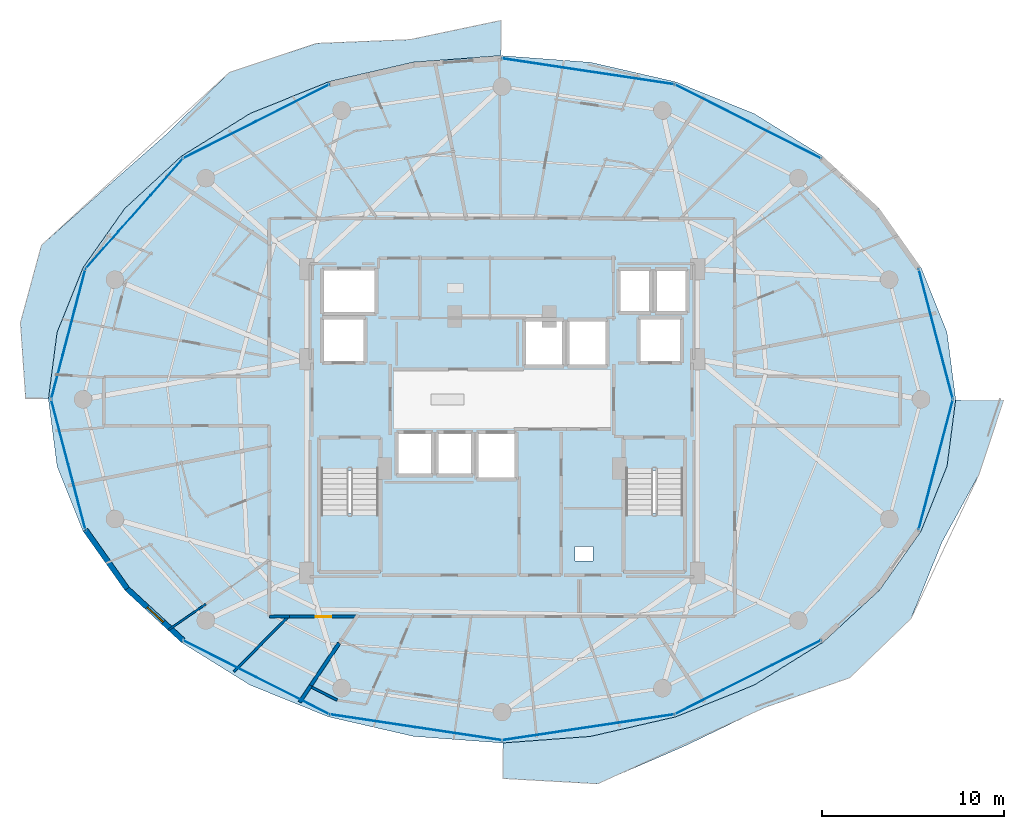
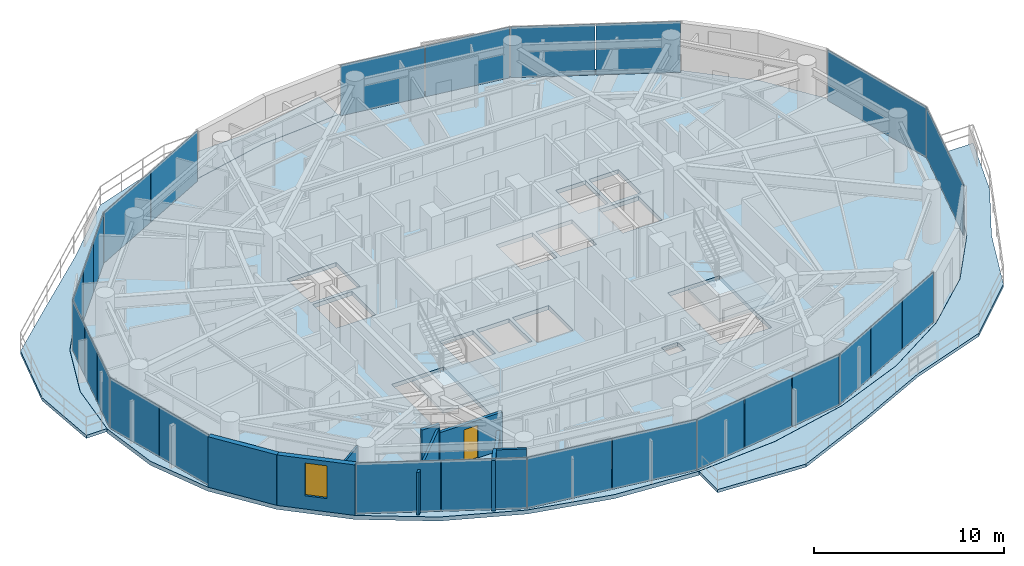
# One storey, part 19 of 29: 26 plates, 9 walls, 5 slabs, 1 door, 1 window, 2 openings, 6 elements without a shape of their own.
"""IFC4 building model written with IfcOpenShell, lengths in metres."""

from ifc_helpers import new_model, si_unit, direction, frame, frame_2d, origin, origin_2d, place, context, subcontext, project, spatial, polyline, rectangle, outline, extrude, material, layer, layer_set, type_object, element, fill, aggregate, save


model = new_model("IFC4")

# Units and contexts
model_context = context("Model", 3, precision=1e-05, world=origin(), true_north=direction((0.0, 1.0)))
body_context = subcontext(model_context, "Body", "Model", "MODEL_VIEW")
ifc_project = project(units=[si_unit("LENGTHUNIT", "METRE"), si_unit("AREAUNIT", "SQUARE_METRE"), si_unit("VOLUMEUNIT", "CUBIC_METRE"), si_unit("PLANEANGLEUNIT", "RADIAN"), si_unit("MASSUNIT", "GRAM", prefix="KILO")], contexts=[model_context])

# Site, building, storey
site_placement = place(None, origin())
site = spatial("IfcSite", under=ifc_project, at=site_placement, CompositionType="ELEMENT")
building_placement = place(site_placement, origin())
building = spatial("IfcBuilding", under=site, at=building_placement, Name="Vorneva Point Tower", CompositionType="ELEMENT")
storey_placement = place(building_placement, frame((0.0, 0.0, 150.10009765625)))
storey = spatial("IfcBuildingStorey", under=building, at=storey_placement, Name="L40", CompositionType="ELEMENT", Elevation=150.10009765625)

# Curtain wall, plates
ifc_material_1 = material(Name="Pale anodised aluminium", Category="aluminium")
curtain_wall_type = type_object("IfcCurtainWallType", Name="CW-RES-SYS", PredefinedType="NOTDEFINED", material=ifc_material_1)
curtain_wall_1_placement = place(storey_placement, origin())
curtain_wall_1 = element("IfcCurtainWall", 1, at=curtain_wall_1_placement, inside=storey, type_object=curtain_wall_type, Name="L40 Unitised Curtain Wall CW-L40-R01", PredefinedType="NOTDEFINED")
ifc_material_2 = material(Name="Double low-e laminated glass IGU", Category="glass")
ifc_layer_1 = layer(ifc_material_2, 0.035888671875)
ifc_layer_set_1 = layer_set([ifc_layer_1], Name="Double low-e laminated glass IGU")
plate_type = type_object("IfcPlateType", Name="CW-PNL-VIS", PredefinedType="CURTAIN_PANEL", material=ifc_layer_set_1)
plate_1_placement = place(storey_placement, frame((61.856201171875, 22.412353515625, -0.02001953125), z_axis=(0.0, 0.0, 1.0), x_axis=(0.254433162972, 0.967090360608, 0.0)))
plate_1 = element("IfcPlate", 2, at=plate_1_placement, type_object=plate_type, Name="CW-L40-R01 Glazed Panel 01", PredefinedType="CURTAIN_PANEL", context=body_context, shape_type="SweptSolid", body=[
    extrude(rectangle(XDim=7.369384765625, YDim=0.035888671875, at=origin_2d()), origin(), (0.0, 0.0, 1.0), 3.280029296875),
])
plate_2_placement = place(storey_placement, frame((61.856201171875, 29.587646484375, -0.02001953125), z_axis=(0.0, 0.0, 1.0), x_axis=(-0.254433162972, 0.967090360608, 0.0)))
plate_2 = element("IfcPlate", 3, at=plate_2_placement, type_object=plate_type, Name="CW-L40-R01 Glazed Panel 02", PredefinedType="CURTAIN_PANEL", context=body_context, shape_type="SweptSolid", body=[
    extrude(rectangle(XDim=7.369384765625, YDim=0.035888671875, at=origin_2d()), origin(), (0.0, 0.0, 1.0), 3.280029296875),
])
aggregate(curtain_wall_1, [plate_1, plate_2])

curtain_wall_2_placement = place(storey_placement, origin())
curtain_wall_2 = element("IfcCurtainWall", 4, at=curtain_wall_2_placement, inside=storey, type_object=curtain_wall_type, Name="L40 Unitised Curtain Wall CW-L40-R02", PredefinedType="NOTDEFINED")
plate_3_placement = place(storey_placement, frame((53.52490234375, 40.2744140625, -0.02001953125), z_axis=(0.0, 0.0, 1.0), x_axis=(-0.892577949019, 0.450893119182, 0.0)))
plate_3 = element("IfcPlate", 5, at=plate_3_placement, type_object=plate_type, Name="CW-L40-R02 Glazed Panel 01A", PredefinedType="CURTAIN_PANEL", context=body_context, shape_type="SweptSolid", body=[
    extrude(rectangle(XDim=4.45703125, YDim=0.035888671875, at=origin_2d()), origin(), (0.0, 0.0, 1.0), 3.280029296875),
])
plate_4_placement = place(storey_placement, frame((49.501953125, 42.306640625, -0.02001953125), z_axis=(0.0, 0.0, 1.0), x_axis=(-0.892577949019, 0.450893119182, 0.0)))
plate_4 = element("IfcPlate", 6, at=plate_4_placement, type_object=plate_type, Name="CW-L40-R02 Glazed Panel 01B", PredefinedType="CURTAIN_PANEL", context=body_context, shape_type="SweptSolid", body=[
    extrude(rectangle(XDim=4.45703125, YDim=0.035888671875, at=origin_2d()), origin(), (0.0, 0.0, 1.0), 3.280029296875),
])
plate_5_placement = place(storey_placement, frame((45.117919921875, 43.679443359375, -0.02001953125), z_axis=(0.0, 0.0, 1.0), x_axis=(-0.988878712919, 0.148724211669, 0.0)))
plate_5 = element("IfcPlate", 7, at=plate_5_placement, type_object=plate_type, Name="CW-L40-R02 Glazed Panel 02A", PredefinedType="CURTAIN_PANEL", context=body_context, shape_type="SweptSolid", body=[
    extrude(rectangle(XDim=4.74853515625, YDim=0.035888671875, at=origin_2d()), origin(), (0.0, 0.0, 1.0), 3.280029296875),
])
plate_6_placement = place(storey_placement, frame((40.37255859375, 44.393310546875, -0.02001953125), z_axis=(0.0, 0.0, 1.0), x_axis=(-0.988878712919, 0.148724211669, 0.0)))
plate_6 = element("IfcPlate", 8, at=plate_6_placement, type_object=plate_type, Name="CW-L40-R02 Glazed Panel 02B", PredefinedType="CURTAIN_PANEL", context=body_context, shape_type="SweptSolid", body=[
    extrude(rectangle(XDim=4.74853515625, YDim=0.035888671875, at=origin_2d()), origin(), (0.0, 0.0, 1.0), 3.280029296875),
])
aggregate(curtain_wall_2, [plate_3, plate_4, plate_5, plate_6])

curtain_wall_3_placement = place(storey_placement, origin())
curtain_wall_3 = element("IfcCurtainWall", 9, at=curtain_wall_3_placement, inside=storey, type_object=curtain_wall_type, Name="L40 Unitised Curtain Wall CW-L40-R03", PredefinedType="NOTDEFINED")
plate_7_placement = place(storey_placement, frame((26.498046875, 42.306640625, -0.02001953125), z_axis=(0.0, 0.0, 1.0), x_axis=(-0.892577949019, -0.450893119182, 0.0)))
plate_7 = element("IfcPlate", 10, at=plate_7_placement, type_object=plate_type, Name="CW-L40-R03 Glazed Panel 01A", PredefinedType="CURTAIN_PANEL", context=body_context, shape_type="SweptSolid", body=[
    extrude(rectangle(XDim=4.45703125, YDim=0.035888671875, at=origin_2d()), origin(), (0.0, 0.0, 1.0), 3.280029296875),
])
plate_8_placement = place(storey_placement, frame((22.47509765625, 40.2744140625, -0.02001953125), z_axis=(0.0, 0.0, 1.0), x_axis=(-0.892577949019, -0.450893119182, 0.0)))
plate_8 = element("IfcPlate", 11, at=plate_8_placement, type_object=plate_type, Name="CW-L40-R03 Glazed Panel 01B", PredefinedType="CURTAIN_PANEL", context=body_context, shape_type="SweptSolid", body=[
    extrude(rectangle(XDim=4.45703125, YDim=0.035888671875, at=origin_2d()), origin(), (0.0, 0.0, 1.0), 3.280029296875),
])
plate_9_placement = place(storey_placement, frame((19.56787109375, 38.244384765625, -0.02001953125), z_axis=(0.0, 0.0, 1.0), x_axis=(-0.662214727207, -0.749314123095, 0.0)))
plate_9 = element("IfcPlate", 12, at=plate_9_placement, type_object=plate_type, Name="CW-L40-R03 Glazed Panel 02A", PredefinedType="CURTAIN_PANEL", context=body_context, shape_type="SweptSolid", body=[
    extrude(rectangle(XDim=2.656005859375, YDim=0.035888671875, at=origin_2d()), origin(), (0.0, 0.0, 1.0), 3.280029296875),
])
plate_10_placement = place(storey_placement, frame((17.77587890625, 36.216796875, -0.02001953125), z_axis=(0.0, 0.0, 1.0), x_axis=(-0.662214727207, -0.749314123095, 0.0)))
plate_10 = element("IfcPlate", 13, at=plate_10_placement, type_object=plate_type, Name="CW-L40-R03 Glazed Panel 02B", PredefinedType="CURTAIN_PANEL", context=body_context, shape_type="SweptSolid", body=[
    extrude(rectangle(XDim=2.656005859375, YDim=0.035888671875, at=origin_2d()), origin(), (0.0, 0.0, 1.0), 3.280029296875),
])
plate_11_placement = place(storey_placement, frame((15.98388671875, 34.189208984375, -0.02001953125), z_axis=(0.0, 0.0, 1.0), x_axis=(-0.662214727207, -0.749314123095, 0.0)))
plate_11 = element("IfcPlate", 14, at=plate_11_placement, type_object=plate_type, Name="CW-L40-R03 Glazed Panel 02C", PredefinedType="CURTAIN_PANEL", context=body_context, shape_type="SweptSolid", body=[
    extrude(rectangle(XDim=2.656005859375, YDim=0.035888671875, at=origin_2d()), origin(), (0.0, 0.0, 1.0), 3.280029296875),
])
plate_12_placement = place(storey_placement, frame((14.773193359375, 31.9794921875, -0.02001953125), z_axis=(0.0, 0.0, 1.0), x_axis=(-0.254433162972, -0.967090360608, 0.0)))
plate_12 = element("IfcPlate", 15, at=plate_12_placement, type_object=plate_type, Name="CW-L40-R03 Glazed Panel 03A", PredefinedType="CURTAIN_PANEL", context=body_context, shape_type="SweptSolid", body=[
    extrude(rectangle(XDim=2.423095703125, YDim=0.035888671875, at=origin_2d()), origin(), (0.0, 0.0, 1.0), 3.280029296875),
])
plate_13_placement = place(storey_placement, frame((14.143798828125, 29.587646484375, -0.02001953125), z_axis=(0.0, 0.0, 1.0), x_axis=(-0.254433162972, -0.967090360608, 0.0)))
plate_13 = element("IfcPlate", 16, at=plate_13_placement, type_object=plate_type, Name="CW-L40-R03 Glazed Panel 03B", PredefinedType="CURTAIN_PANEL", context=body_context, shape_type="SweptSolid", body=[
    extrude(rectangle(XDim=2.423095703125, YDim=0.035888671875, at=origin_2d()), origin(), (0.0, 0.0, 1.0), 3.280029296875),
])
plate_14_placement = place(storey_placement, frame((13.5146484375, 27.19580078125, -0.02001953125), z_axis=(0.0, 0.0, 1.0), x_axis=(-0.254433162972, -0.967090360608, 0.0)))
plate_14 = element("IfcPlate", 17, at=plate_14_placement, type_object=plate_type, Name="CW-L40-R03 Glazed Panel 03C", PredefinedType="CURTAIN_PANEL", context=body_context, shape_type="SweptSolid", body=[
    extrude(rectangle(XDim=2.423095703125, YDim=0.035888671875, at=origin_2d()), origin(), (0.0, 0.0, 1.0), 3.280029296875),
])
plate_15_placement = place(storey_placement, frame((13.671875, 24.206298828125, -0.02001953125), z_axis=(0.0, 0.0, 1.0), x_axis=(0.254433162972, -0.967090360608, 0.0)))
plate_15 = element("IfcPlate", 18, at=plate_15_placement, type_object=plate_type, Name="CW-L40-R03 Glazed Panel 04A", PredefinedType="CURTAIN_PANEL", context=body_context, shape_type="SweptSolid", body=[
    extrude(rectangle(XDim=3.65966796875, YDim=0.035888671875, at=origin_2d()), origin(), (0.0, 0.0, 1.0), 3.280029296875),
])
plate_16_placement = place(storey_placement, frame((14.615966796875, 20.618408203125, -0.02001953125), z_axis=(0.0, 0.0, 1.0), x_axis=(0.254433162972, -0.967090360608, 0.0)))
plate_16 = element("IfcPlate", 19, at=plate_16_placement, type_object=plate_type, Name="CW-L40-R03 Glazed Panel 04B", PredefinedType="CURTAIN_PANEL", context=body_context, shape_type="SweptSolid", body=[
    extrude(rectangle(XDim=3.65966796875, YDim=0.035888671875, at=origin_2d()), origin(), (0.0, 0.0, 1.0), 3.280029296875),
])
aggregate(curtain_wall_3, [plate_7, plate_8, plate_9, plate_10, plate_11, plate_12, plate_13, plate_14, plate_15, plate_16])

curtain_wall_4_placement = place(storey_placement, origin())
curtain_wall_4 = element("IfcCurtainWall", 20, at=curtain_wall_4_placement, inside=storey, type_object=curtain_wall_type, Name="L40 Unitised Curtain Wall CW-L40-R04", PredefinedType="NOTDEFINED")
plate_17_placement = place(storey_placement, frame((22.47509765625, 11.7255859375, -0.02001953125), z_axis=(0.0, 0.0, 1.0), x_axis=(0.892577949019, -0.450893119182, 0.0)))
plate_17 = element("IfcPlate", 21, at=plate_17_placement, type_object=plate_type, Name="CW-L40-R04 Glazed Panel 01A", PredefinedType="CURTAIN_PANEL", context=body_context, shape_type="SweptSolid", body=[
    extrude(rectangle(XDim=4.45703125, YDim=0.035888671875, at=origin_2d()), origin(), (0.0, 0.0, 1.0), 3.280029296875),
])
plate_18_placement = place(storey_placement, frame((26.498046875, 9.693359375, -0.02001953125), z_axis=(0.0, 0.0, 1.0), x_axis=(0.892577949019, -0.450893119182, 0.0)))
plate_18 = element("IfcPlate", 22, at=plate_18_placement, type_object=plate_type, Name="CW-L40-R04 Glazed Panel 01B", PredefinedType="CURTAIN_PANEL", context=body_context, shape_type="SweptSolid", body=[
    extrude(rectangle(XDim=4.45703125, YDim=0.035888671875, at=origin_2d()), origin(), (0.0, 0.0, 1.0), 3.280029296875),
])
plate_19_placement = place(storey_placement, frame((30.882080078125, 8.320556640625, -0.02001953125), z_axis=(0.0, 0.0, 1.0), x_axis=(0.988878712919, -0.148724211669, 0.0)))
plate_19 = element("IfcPlate", 23, at=plate_19_placement, type_object=plate_type, Name="CW-L40-R04 Glazed Panel 02A", PredefinedType="CURTAIN_PANEL", context=body_context, shape_type="SweptSolid", body=[
    extrude(rectangle(XDim=4.74853515625, YDim=0.035888671875, at=origin_2d()), origin(), (0.0, 0.0, 1.0), 3.280029296875),
])
plate_20_placement = place(storey_placement, frame((35.62744140625, 7.606689453125, -0.02001953125), z_axis=(0.0, 0.0, 1.0), x_axis=(0.988878712919, -0.148724211669, 0.0)))
plate_20 = element("IfcPlate", 24, at=plate_20_placement, type_object=plate_type, Name="CW-L40-R04 Glazed Panel 02B", PredefinedType="CURTAIN_PANEL", context=body_context, shape_type="SweptSolid", body=[
    extrude(rectangle(XDim=4.74853515625, YDim=0.035888671875, at=origin_2d()), origin(), (0.0, 0.0, 1.0), 3.280029296875),
])
plate_21_placement = place(storey_placement, frame((39.581787109375, 7.48779296875, -0.02001953125), z_axis=(0.0, 0.0, 1.0), x_axis=(0.988878712919, 0.148724211669, 0.0)))
plate_21 = element("IfcPlate", 25, at=plate_21_placement, type_object=plate_type, Name="CW-L40-R04 Glazed Panel 03A", PredefinedType="CURTAIN_PANEL", context=body_context, shape_type="SweptSolid", body=[
    extrude(rectangle(XDim=3.149169921875, YDim=0.035888671875, at=origin_2d()), origin(), (0.0, 0.0, 1.0), 3.280029296875),
])
plate_22_placement = place(storey_placement, frame((42.7451171875, 7.963623046875, -0.02001953125), z_axis=(0.0, 0.0, 1.0), x_axis=(0.988878712919, 0.148724211669, 0.0)))
plate_22 = element("IfcPlate", 26, at=plate_22_placement, type_object=plate_type, Name="CW-L40-R04 Glazed Panel 03B", PredefinedType="CURTAIN_PANEL", context=body_context, shape_type="SweptSolid", body=[
    extrude(rectangle(XDim=3.149169921875, YDim=0.035888671875, at=origin_2d()), origin(), (0.0, 0.0, 1.0), 3.280029296875),
])
plate_23_placement = place(storey_placement, frame((45.90869140625, 8.439453125, -0.02001953125), z_axis=(0.0, 0.0, 1.0), x_axis=(0.988878712919, 0.148724211669, 0.0)))
plate_23 = element("IfcPlate", 27, at=plate_23_placement, type_object=plate_type, Name="CW-L40-R04 Glazed Panel 03C", PredefinedType="CURTAIN_PANEL", context=body_context, shape_type="SweptSolid", body=[
    extrude(rectangle(XDim=3.149169921875, YDim=0.035888671875, at=origin_2d()), origin(), (0.0, 0.0, 1.0), 3.280029296875),
])
plate_24_placement = place(storey_placement, frame((48.831298828125, 9.354736328125, -0.02001953125), z_axis=(0.0, 0.0, 1.0), x_axis=(0.892577949019, 0.450893119182, 0.0)))
plate_24 = element("IfcPlate", 28, at=plate_24_placement, type_object=plate_type, Name="CW-L40-R04 Glazed Panel 04A", PredefinedType="CURTAIN_PANEL", context=body_context, shape_type="SweptSolid", body=[
    extrude(rectangle(XDim=2.95458984375, YDim=0.035888671875, at=origin_2d()), origin(), (0.0, 0.0, 1.0), 3.280029296875),
])
plate_25_placement = place(storey_placement, frame((51.513427734375, 10.70947265625, -0.02001953125), z_axis=(0.0, 0.0, 1.0), x_axis=(0.892577949019, 0.450893119182, 0.0)))
plate_25 = element("IfcPlate", 29, at=plate_25_placement, type_object=plate_type, Name="CW-L40-R04 Glazed Panel 04B", PredefinedType="CURTAIN_PANEL", context=body_context, shape_type="SweptSolid", body=[
    extrude(rectangle(XDim=2.95458984375, YDim=0.035888671875, at=origin_2d()), origin(), (0.0, 0.0, 1.0), 3.280029296875),
])
plate_26_placement = place(storey_placement, frame((54.1953125, 12.064208984375, -0.02001953125), z_axis=(0.0, 0.0, 1.0), x_axis=(0.892577949019, 0.450893119182, 0.0)))
plate_26 = element("IfcPlate", 30, at=plate_26_placement, type_object=plate_type, Name="CW-L40-R04 Glazed Panel 04C", PredefinedType="CURTAIN_PANEL", context=body_context, shape_type="SweptSolid", body=[
    extrude(rectangle(XDim=2.95458984375, YDim=0.035888671875, at=origin_2d()), origin(), (0.0, 0.0, 1.0), 3.280029296875),
])
aggregate(curtain_wall_4, [plate_17, plate_18, plate_19, plate_20, plate_21, plate_22, plate_23, plate_24, plate_25, plate_26])

# Slabs
ifc_material_3 = material(Name="Concrete B50 (C40/50)", Category="concrete")
ifc_layer_2 = layer(ifc_material_3, 0.199951171875)
ifc_layer_set_2 = layer_set([ifc_layer_2], Name="Concrete B50 (C40/50)")
slab_type_1 = type_object("IfcSlabType", Name="SLB-BAL-200", PredefinedType="FLOOR", material=ifc_layer_set_2)
slab_1_placement = place(storey_placement, frame((0.0, 0.0, -0.2001953125)))
element("IfcSlab", 31, at=slab_1_placement, inside=storey, type_object=slab_type_1, Name="L40 Cantilevered Wave Balcony NW", PredefinedType="FLOOR", context=body_context, shape_type="SweptSolid", body=[
    extrude(outline(polyline([(11.796630859375, 26.050048828125), (13.052490234375, 26.050048828125), (13.525390625, 29.687744140625), (13.525390625, 29.68798828125), (13.525634765625, 29.6884765625), (13.525634765625, 29.688720703125), (14.945556640625, 33.234130859375), (14.94580078125, 33.234619140625), (14.94580078125, 33.235107421875), (17.25146484375, 36.502685546875), (17.251708984375, 36.5029296875), (17.252197265625, 36.503173828125), (20.35498046875, 39.3671875), (20.355224609375, 39.367431640625), (20.355712890625, 39.36767578125), (24.136474609375, 41.71826171875), (24.13671875, 41.718505859375), (24.136962890625, 41.718505859375), (28.450439453125, 43.465087890625), (28.45068359375, 43.465087890625), (28.451171875, 43.465087890625), (33.131591796875, 44.540771484375), (33.1318359375, 44.540771484375), (33.132080078125, 44.540771484375), (37.949951171875, 44.900390625), (37.949951171875, 46.839599609375), (32.944091796875, 45.7861328125), (27.7880859375, 45.577392578125), (22.9951171875, 43.973876953125), (19.47900390625, 40.524169921875), (16.083984375, 37.532958984375), (12.6708984375, 34.478515625), (11.51123046875, 30.217041015625), (11.796630859375, 26.050048828125)])), origin(), (0.0, 0.0, 1.0), 0.2001953125),
])
slab_2_placement = place(storey_placement, frame((0.0, 0.0, -0.2001953125)))
element("IfcSlab", 32, at=slab_2_placement, inside=storey, type_object=slab_type_1, Name="L40 Cantilevered Wave Balcony SE", PredefinedType="FLOOR", context=body_context, shape_type="SweptSolid", body=[
    extrude(outline(polyline([(64.224609375, 21.852294921875), (65.58349609375, 25.949951171875), (62.947509765625, 25.949951171875), (62.474609375, 22.312255859375), (62.474609375, 22.31201171875), (62.474365234375, 22.3115234375), (62.474365234375, 22.311279296875), (61.054443359375, 18.765869140625), (61.05419921875, 18.765380859375), (61.05419921875, 18.764892578125), (58.74853515625, 15.497314453125), (58.748291015625, 15.4970703125), (58.747802734375, 15.496826171875), (55.64501953125, 12.6328125), (55.644775390625, 12.632568359375), (55.644287109375, 12.63232421875), (51.863525390625, 10.28173828125), (51.86328125, 10.281494140625), (51.863037109375, 10.281494140625), (47.549560546875, 8.534912109375), (47.54931640625, 8.534912109375), (47.548828125, 8.534912109375), (42.868408203125, 7.459228515625), (42.8681640625, 7.459228515625), (42.867919921875, 7.459228515625), (38.050048828125, 7.099609375), (38.050048828125, 5.147216796875), (43.26025390625, 4.85595703125), (48.051513671875, 6.93359375), (52.479248046875, 9.064697265625), (57.11865234375, 10.686767578125), (60.499267578125, 13.952392578125), (62.1943359375, 18.14208984375), (64.224609375, 21.852294921875)])), origin(), (0.0, 0.0, 1.0), 0.2001953125),
])

# Stair, slab
stair_type = type_object("IfcStairType", Name="ST-DOG-1500", PredefinedType="HALF_TURN_STAIR", material=ifc_material_3)
stair_1_placement = place(storey_placement, origin())
stair_1 = element("IfcStair", 33, at=stair_1_placement, inside=storey, type_object=stair_type, Name="L40 ST1", PredefinedType="HALF_TURN_STAIR")
ifc_layer_3 = layer(ifc_material_3, 0.199951171875)
ifc_layer_set_3 = layer_set([ifc_layer_3], Name="Concrete B50 (C40/50)")
slab_type_2 = type_object("IfcSlabType", Name="SLB-LND-200", PredefinedType="LANDING", material=ifc_layer_set_3)
slab_3_placement = place(storey_placement, frame((0.0, 0.0, 1.5498046875)))
slab_3 = element("IfcSlab", 34, at=slab_3_placement, type_object=slab_type_2, Name="ST1 landing 1", PredefinedType="LANDING", context=body_context, shape_type="SweptSolid", body=[
    extrude(outline(polyline([(27.929931640625, 16.47998046875), (31.320068359375, 16.47998046875), (31.320068359375, 19.72998046875), (27.929931640625, 19.72998046875), (27.929931640625, 16.47998046875)])), origin(), (0.0, 0.0, 1.0), 0.2001953125),
])
aggregate(stair_1, [slab_3])

stair_2_placement = place(storey_placement, origin())
stair_2 = element("IfcStair", 35, at=stair_2_placement, inside=storey, type_object=stair_type, Name="L40 ST2", PredefinedType="HALF_TURN_STAIR")
slab_4_placement = place(storey_placement, frame((0.0, 0.0, 1.5498046875)))
slab_4 = element("IfcSlab", 36, at=slab_4_placement, type_object=slab_type_2, Name="ST2 landing 1", PredefinedType="LANDING", context=body_context, shape_type="SweptSolid", body=[
    extrude(outline(polyline([(44.679931640625, 16.47998046875), (48.070068359375, 16.47998046875), (48.070068359375, 19.72998046875), (44.679931640625, 19.72998046875), (44.679931640625, 16.47998046875)])), origin(), (0.0, 0.0, 1.0), 0.2001953125),
])
aggregate(stair_2, [slab_4])

# Slab
ifc_layer_4 = layer(ifc_material_3, 0.260009765625)
ifc_layer_set_4 = layer_set([ifc_layer_4], Name="Concrete B50 (C40/50)")
slab_type_3 = type_object("IfcSlabType", Name="SLB-TYP-260", PredefinedType="FLOOR", material=ifc_layer_set_4)
slab_5_placement = place(storey_placement, frame((0.0, 0.0, -0.260009765625)))
element("IfcSlab", 37, at=slab_5_placement, inside=storey, type_object=slab_type_3, Name="L40 Structural Floor Plate", PredefinedType="FLOOR", context=body_context, shape_type="SweptSolid", body=[
    extrude(outline(polyline([(62.949951171875, 26.0), (62.470703125, 29.687255859375), (61.05078125, 33.232666015625), (58.7451171875, 36.500244140625), (55.642333984375, 39.3642578125), (51.861572265625, 41.71484375), (47.548095703125, 43.461181640625), (42.867431640625, 44.536865234375), (38.0, 44.89990234375), (33.132568359375, 44.536865234375), (28.451904296875, 43.461181640625), (24.138427734375, 41.71484375), (20.357666015625, 39.3642578125), (17.2548828125, 36.500244140625), (14.94921875, 33.232666015625), (13.529296875, 29.687255859375), (13.050048828125, 26.0), (13.529296875, 22.312744140625), (14.94921875, 18.767333984375), (17.2548828125, 15.499755859375), (20.357666015625, 12.6357421875), (24.138427734375, 10.28515625), (28.451904296875, 8.538818359375), (33.132568359375, 7.463134765625), (38.0, 7.10009765625), (42.867431640625, 7.463134765625), (47.548095703125, 8.538818359375), (51.861572265625, 10.28515625), (55.642333984375, 12.6357421875), (58.7451171875, 15.499755859375), (61.05078125, 18.767333984375), (62.470703125, 22.312744140625), (62.949951171875, 26.0)]), holes=[polyline([(32.199951171875, 21.800048828125), (34.199951171875, 21.800048828125), (34.199951171875, 24.199951171875), (32.199951171875, 24.199951171875), (32.199951171875, 21.800048828125)]), polyline([(34.39990234375, 21.800048828125), (36.39990234375, 21.800048828125), (36.39990234375, 24.199951171875), (34.39990234375, 24.199951171875), (34.39990234375, 21.800048828125)]), polyline([(36.60009765625, 21.60009765625), (38.800048828125, 21.60009765625), (38.800048828125, 24.199951171875), (36.60009765625, 24.199951171875), (36.60009765625, 21.60009765625)]), polyline([(39.199951171875, 27.800048828125), (41.39990234375, 27.800048828125), (41.39990234375, 30.39990234375), (39.199951171875, 30.39990234375), (39.199951171875, 27.800048828125)]), polyline([(41.60009765625, 27.800048828125), (43.800048828125, 27.800048828125), (43.800048828125, 30.39990234375), (41.60009765625, 30.39990234375), (41.60009765625, 27.800048828125)]), polyline([(44.39990234375, 30.739990234375), (46.199951171875, 30.739990234375), (46.199951171875, 33.159912109375), (44.39990234375, 33.159912109375), (44.39990234375, 30.739990234375)]), polyline([(46.39990234375, 30.739990234375), (48.199951171875, 30.739990234375), (48.199951171875, 33.159912109375), (46.39990234375, 33.159912109375), (46.39990234375, 30.739990234375)]), polyline([(28.10009765625, 28.0), (30.5, 28.0), (30.5, 30.5), (28.10009765625, 30.5), (28.10009765625, 28.0)]), polyline([(45.5, 28.0), (47.89990234375, 28.0), (47.89990234375, 30.5), (45.5, 30.5), (45.5, 28.0)]), polyline([(28.10009765625, 30.699951171875), (31.10009765625, 30.699951171875), (31.10009765625, 33.199951171875), (28.10009765625, 33.199951171875), (28.10009765625, 30.699951171875)]), polyline([(28.050048828125, 16.60009765625), (31.199951171875, 16.60009765625), (31.199951171875, 22.080078125), (28.050048828125, 22.080078125), (28.050048828125, 16.60009765625)]), polyline([(44.800048828125, 16.60009765625), (47.949951171875, 16.60009765625), (47.949951171875, 22.080078125), (44.800048828125, 22.080078125), (44.800048828125, 16.60009765625)]), polyline([(42.0, 17.10009765625), (43.0, 17.10009765625), (43.0, 17.89990234375), (42.0, 17.89990234375), (42.0, 17.10009765625)])]), origin(), (0.0, 0.0, 1.0), 0.260009765625),
])

# Wall
ifc_material_4 = material(Name="Precast concrete B50 (C40/50)", Category="concrete")
ifc_layer_5 = layer(ifc_material_4, 0.300048828125)
ifc_layer_set_5 = layer_set([ifc_layer_5], Name="Precast concrete B50 (C40/50)")
wall_type_1 = type_object("IfcWallType", Name="WL-EXT-300", PredefinedType="STANDARD", material=ifc_layer_set_5)
wall_1_placement = place(storey_placement, frame((15.087890625, 18.82470703125, 0.0), z_axis=(0.0, 0.0, 1.0), x_axis=(0.577269753207, -0.816553508371, 0.0)))
element("IfcWall", 38, at=wall_1_placement, inside=storey, type_object=wall_type_1, Name="L40 Pale-Metal Facade Spandrel Wall 10.1", PredefinedType="STANDARD", context=body_context, shape_type="SweptSolid", body=[
    extrude(rectangle(XDim=3.969970703125, YDim=0.300048828125, at=frame_2d((1.98486328125, 0.0))), origin(), (0.0, 0.0, 1.0), 3.239990234375),
])

# Wall, opening, window
wall_2_placement = place(storey_placement, frame((17.379638671875, 15.5830078125, 0.0), z_axis=(0.0, 0.0, 1.0), x_axis=(0.735477154165, -0.677549522693, 0.0)))
wall_2 = element("IfcWall", 39, at=wall_2_placement, inside=storey, type_object=wall_type_1, Name="L40 Pale-Metal Facade Spandrel Wall 10.2", PredefinedType="STANDARD", context=body_context, shape_type="SweptSolid", body=[
    extrude(rectangle(XDim=4.193603515625, YDim=0.300048828125, at=frame_2d((2.0966796875, 0.0))), origin(), (0.0, 0.0, 1.0), 3.239990234375),
])
opening_1_placement = place(wall_2_placement, frame((1.496826171875, 0.0, 0.85009765625)))
opening_1 = element("IfcOpeningElement", 40, at=opening_1_placement, cuts=wall_2, Name="Opening W-04", PredefinedType="OPENING", context=body_context, shape_type="SweptSolid", body=[
    extrude(rectangle(XDim=1.199951171875, YDim=2.10009765625, at=frame_2d((0.60009765625, 1.050048828125))), frame((0.0, 0.1650390625, 0.0), z_axis=(0.0, -1.0, 0.0), x_axis=(1.0, 0.0, 0.0)), (0.0, 0.0, 1.0), 0.329833984375),
])
window_type = type_object("IfcWindowType", Name="WN-RES-1200", PartitioningType="SINGLE_PANEL", PredefinedType="WINDOW", material=ifc_material_2)
window_placement = place(opening_1_placement, origin())
window = element("IfcWindow", 41, at=window_placement, inside=storey, type_object=window_type, Name="L40 Facade Window 10", OverallHeight=2.10009765625, OverallWidth=1.199951171875, PartitioningType="SINGLE_PANEL", PredefinedType="WINDOW", context=body_context, shape_type="SweptSolid", body=[
    extrude(rectangle(XDim=1.199951171875, YDim=2.10009765625, at=frame_2d((0.60009765625, 1.050048828125))), frame((0.0, 0.030029296875, 0.0), z_axis=(0.0, -1.0, 0.0), x_axis=(1.0, 0.0, 0.0)), (0.0, 0.0, 1.0), 0.06005859375),
])
fill(opening_1, window)

# Walls
ifc_material_5 = material(Name="Fire-rated acoustic gypsum stud partition", Category="gypsum")
ifc_layer_6 = layer(ifc_material_5, 0.110107421875)
ifc_layer_set_6 = layer_set([ifc_layer_6], Name="Fire-rated acoustic gypsum stud partition")
wall_type_2 = type_object("IfcWallType", Name="WL-PART-110", PredefinedType="PARTITIONING", material=ifc_layer_set_6)
wall_3_placement = place(storey_placement, frame((21.710205078125, 14.74169921875, 0.0), z_axis=(0.0, 0.0, 1.0), x_axis=(-0.822632807799, -0.568573006335, 0.0)))
element("IfcWall", 42, at=wall_3_placement, inside=storey, type_object=wall_type_2, Name="L40 Interior Partition 115", PredefinedType="PARTITIONING", context=body_context, shape_type="SweptSolid", body=[
    extrude(rectangle(XDim=2.511962890625, YDim=0.110107421875, at=frame_2d((1.255859375, 0.0))), origin(), (0.0, 0.0, 1.0), 2.727783203125),
])
ifc_layer_7 = layer(ifc_material_5, 0.139892578125)
ifc_layer_set_7 = layer_set([ifc_layer_7], Name="Fire-rated acoustic gypsum stud partition")
wall_type_3 = type_object("IfcWallType", Name="WL-PART-140", PredefinedType="PARTITIONING", material=ifc_layer_set_7)
wall_4_placement = place(storey_placement, frame((23.2490234375, 11.014892578125, 0.0), z_axis=(0.0, 0.0, 1.0), x_axis=(0.701437189486, 0.712731274188, 0.0)))
element("IfcWall", 43, at=wall_4_placement, inside=storey, type_object=wall_type_3, Name="L40 Interior Partition 117", PredefinedType="PARTITIONING", context=body_context, shape_type="SweptSolid", body=[
    extrude(rectangle(XDim=4.258544921875, YDim=0.139892578125, at=frame_2d((2.12939453125, 0.0))), origin(), (0.0, 0.0, 1.0), 2.727783203125),
])
wall_5_placement = place(storey_placement, frame((28.93798828125, 9.455078125, 0.0), z_axis=(0.0, 0.0, 1.0), x_axis=(-0.892517956507, 0.451011859392, 0.0)))
element("IfcWall", 44, at=wall_5_placement, inside=storey, type_object=wall_type_3, Name="L40 Interior Partition 127", PredefinedType="PARTITIONING", context=body_context, shape_type="SweptSolid", body=[
    extrude(rectangle(XDim=1.66943359375, YDim=0.139892578125, at=frame_2d((0.834716796875, 0.0))), origin(), (0.0, 0.0, 1.0), 3.239990234375),
])
ifc_material_6 = material(Name="Autoclaved aerated concrete blockwork", Category="masonry")
ifc_layer_8 = layer(ifc_material_6, 0.179931640625)
ifc_layer_set_8 = layer_set([ifc_layer_8], Name="Autoclaved aerated concrete blockwork")
wall_type_4 = type_object("IfcWallType", Name="WL-PART-180", PredefinedType="PARTITIONING", material=ifc_layer_set_8)
wall_6_placement = place(storey_placement, frame((25.199951171875, 14.050048828125, 0.0), z_axis=(0.0, 0.0, 1.0), x_axis=(1.0, 0.0, 0.0)))
element("IfcWall", 45, at=wall_6_placement, inside=storey, type_object=wall_type_4, Name="L40 Interior Partition 051", PredefinedType="PARTITIONING", context=body_context, shape_type="SweptSolid", body=[
    extrude(rectangle(XDim=1.095947265625, YDim=0.179931640625, at=frame_2d((0.5478515625, 0.0))), origin(), (0.0, 0.0, 1.0), 2.971923828125),
])

# Wall, opening, door
wall_7_placement = place(storey_placement, frame((26.2958984375, 14.050048828125, 0.0), z_axis=(0.0, 0.0, 1.0), x_axis=(1.0, 0.0, 0.0)))
wall_7 = element("IfcWall", 46, at=wall_7_placement, inside=storey, type_object=wall_type_4, Name="L40 Interior Partition 052", PredefinedType="PARTITIONING", context=body_context, shape_type="SweptSolid", body=[
    extrude(rectangle(XDim=3.779052734375, YDim=0.179931640625, at=frame_2d((1.8896484375, 0.0))), origin(), (0.0, 0.0, 1.0), 2.431884765625),
])
opening_2_placement = place(wall_7_placement, frame((1.464599609375, 0.0, 0.0)))
opening_2 = element("IfcOpeningElement", 47, at=opening_2_placement, cuts=wall_7, Name="Opening ID-02", PredefinedType="OPENING", context=body_context, shape_type="SweptSolid", body=[
    extrude(rectangle(XDim=0.85009765625, YDim=2.10009765625, at=frame_2d((0.425048828125, 1.050048828125))), frame((0.0, 0.10498046875, 0.0), z_axis=(0.0, -1.0, 0.0), x_axis=(1.0, 0.0, 0.0)), (0.0, 0.0, 1.0), 0.209716796875),
])
ifc_material_7 = material(Name="Engineered oak fire-rated door leaf", Category="wood")
door_type = type_object("IfcDoorType", Name="DR-BATH-850", OperationType="NOTDEFINED", PredefinedType="DOOR", material=ifc_material_7)
door_placement = place(opening_2_placement, origin())
door = element("IfcDoor", 48, at=door_placement, inside=storey, type_object=door_type, Name="L40 Access Door L40 Circulation Corridor", OperationType="SINGLE_SWING_LEFT", OverallHeight=2.10009765625, OverallWidth=0.85009765625, PredefinedType="DOOR", context=body_context, shape_type="SweptSolid", body=[
    extrude(rectangle(XDim=0.85009765625, YDim=2.10009765625, at=frame_2d((0.425048828125, 1.050048828125))), frame((0.0, 0.02490234375, 0.0), z_axis=(0.0, -1.0, 0.0), x_axis=(1.0, 0.0, 0.0)), (0.0, 0.0, 1.0), 0.050048828125),
])
fill(opening_2, door)

# Walls
ifc_layer_9 = layer(ifc_material_6, 0.199951171875)
ifc_layer_set_9 = layer_set([ifc_layer_9], Name="Autoclaved aerated concrete blockwork")
wall_type_5 = type_object("IfcWallType", Name="WL-PART-200", PredefinedType="PARTITIONING", material=ifc_layer_set_9)
wall_8_placement = place(storey_placement, frame((26.868896484375, 9.341064453125, 0.0), z_axis=(0.0, 0.0, 1.0), x_axis=(0.555772359104, 0.831334520428, 0.0)))
element("IfcWall", 49, at=wall_8_placement, inside=storey, type_object=wall_type_5, Name="L40 Interior Partition 118", PredefinedType="PARTITIONING", context=body_context, shape_type="SweptSolid", body=[
    extrude(rectangle(XDim=1.10302734375, YDim=0.199951171875, at=frame_2d((0.551513671875, 0.0))), origin(), (0.0, 0.0, 1.0), 3.239990234375),
])
wall_9_placement = place(storey_placement, frame((27.48193359375, 10.258056640625, 0.0), z_axis=(0.0, 0.0, 1.0), x_axis=(0.5554636799, 0.831540798946, 0.0)))
element("IfcWall", 50, at=wall_9_placement, inside=storey, type_object=wall_type_5, Name="L40 Interior Partition 120", PredefinedType="PARTITIONING", context=body_context, shape_type="SweptSolid", body=[
    extrude(rectangle(XDim=2.80322265625, YDim=0.199951171875, at=frame_2d((1.401611328125, 0.0))), origin(), (0.0, 0.0, 1.0), 2.431884765625),
])

save(model, "model.ifc")
